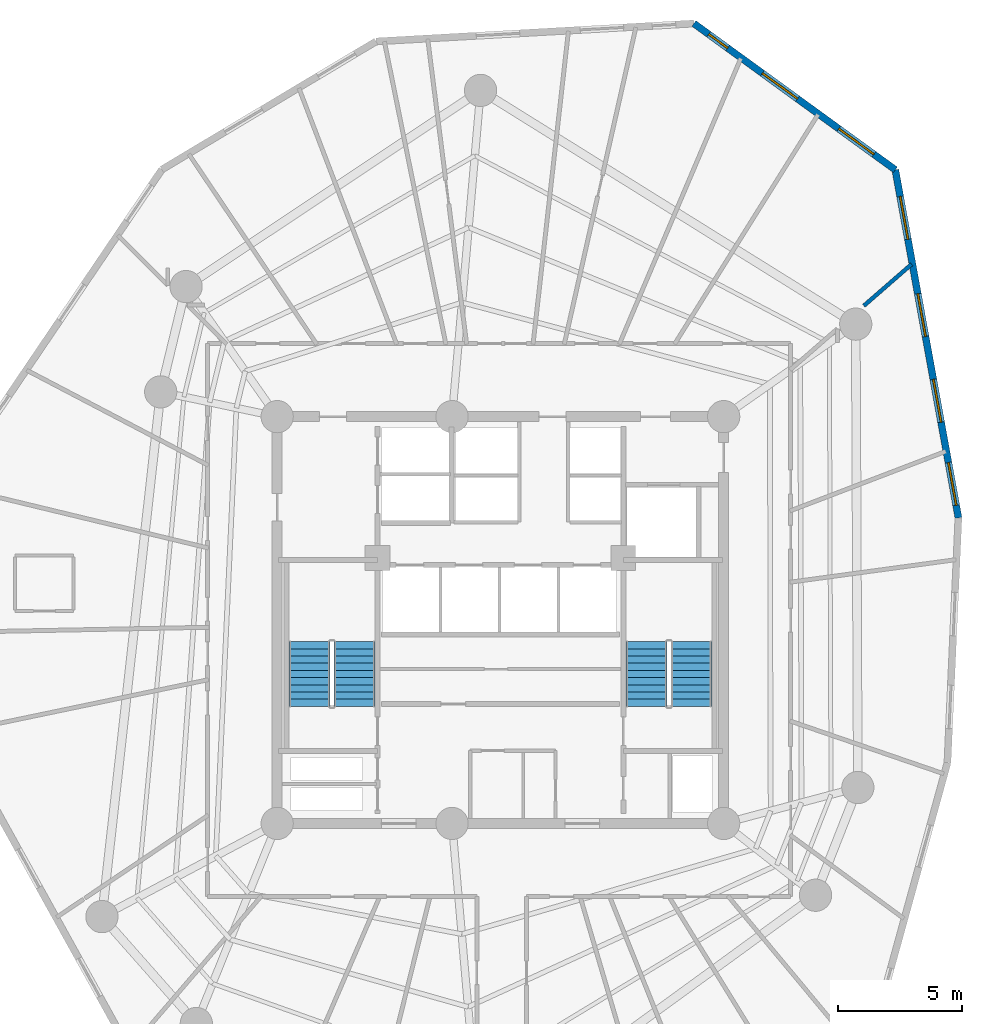
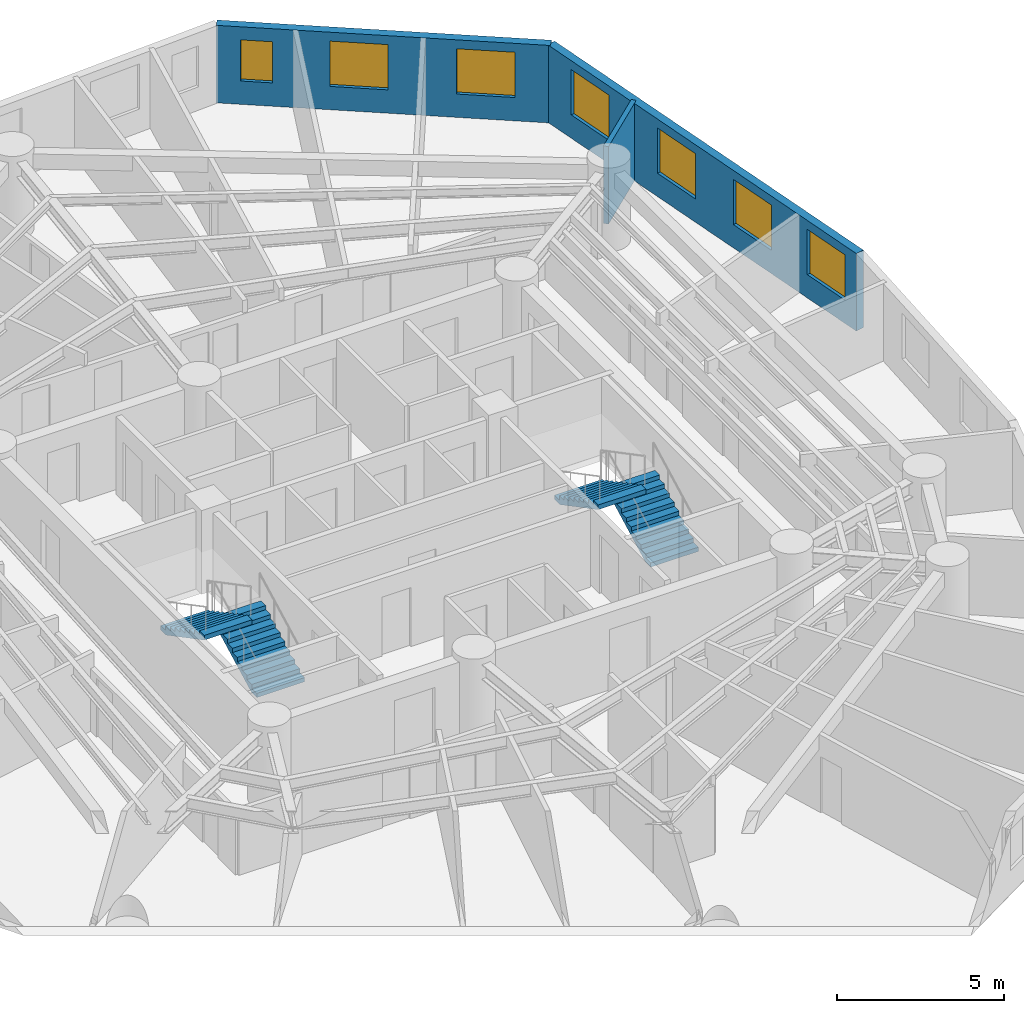
# One storey, part 7 of 8: 7 windows, 4 stair flights, 3 walls, 7 openings, 2 elements without a shape of their own.
"""IFC4 building model written with IfcOpenShell, lengths in metres."""

from ifc_helpers import new_model, si_unit, direction, frame, frame_2d, origin, origin_with_axes, place, context, subcontext, project, spatial, polyline, rectangle, outline, extrude, source, transform, mapped, material, layer, layer_set, type_object, element, fill, aggregate, save


model = new_model("IFC4")

# Units and contexts
model_context = context("Model", 3, precision=1e-05, world=origin(), true_north=direction((0.0, 1.0)))
body_context = subcontext(model_context, "Body", "Model", "MODEL_VIEW")
ifc_project = project(units=[si_unit("LENGTHUNIT", "METRE"), si_unit("AREAUNIT", "SQUARE_METRE"), si_unit("VOLUMEUNIT", "CUBIC_METRE"), si_unit("PLANEANGLEUNIT", "RADIAN"), si_unit("MASSUNIT", "GRAM", prefix="KILO")], contexts=[model_context])

# Site, building, storey
site_placement = place(None, origin())
site = spatial("IfcSite", under=ifc_project, at=site_placement, CompositionType="ELEMENT")
building_placement = place(site_placement, origin())
building = spatial("IfcBuilding", under=site, at=building_placement, Name="Karkom Vertical University and Central Library", CompositionType="ELEMENT")
storey_placement = place(building_placement, frame((0.0, 0.0, 180.949951171875)))
storey = spatial("IfcBuildingStorey", under=building, at=storey_placement, Name="L52", CompositionType="ELEMENT", Elevation=180.949951171875)

# Wall, openings, windows
ifc_material_1 = material(Name="Brick-faced precast concrete C45/55", Category="masonry")
ifc_layer_1 = layer(ifc_material_1, 0.280029296875)
ifc_layer_set_1 = layer_set([ifc_layer_1], Name="Brick-faced precast concrete C45/55")
wall_type_1 = type_object("IfcWallType", Name="ENV-WL-BRK-280", PredefinedType="SOLIDWALL", material=ifc_layer_set_1)
wall_1_placement = place(storey_placement, frame((46.9658203125, 30.617919921875, 0.0), z_axis=(0.0, 0.0, 1.0), x_axis=(-0.178507284688, 0.983938590214, 0.0)))
wall_1 = element("IfcWall", 1, at=wall_1_placement, inside=storey, type_object=wall_type_1, Name="Level 52 Brick-Faced Precast Facade Wall 08", PredefinedType="SOLIDWALL", context=body_context, shape_type="SweptSolid", body=[
    extrude(rectangle(XDim=14.2607421875, YDim=0.280029296875, at=frame_2d((7.13037109375, 0.0))), origin(), (0.0, 0.0, 1.0), 2.824951171875),
])
opening_1_placement = place(wall_1_placement, frame((0.5166015625, 0.0, 0.85009765625)))
opening_1 = element("IfcOpeningElement", 2, at=opening_1_placement, cuts=wall_1, Name="Opening WN-08", PredefinedType="OPENING", context=body_context, shape_type="SweptSolid", body=[
    extrude(rectangle(XDim=1.75, YDim=1.64990234375, at=frame_2d((0.875, 0.824951171875))), frame((0.0, 0.14990234375, 0.0), z_axis=(0.0, -1.0, 0.0), x_axis=(1.0, 0.0, 0.0)), (0.0, 0.0, 1.0), 0.300048828125),
])
opening_2_placement = place(wall_1_placement, frame((3.923095703125, 0.0, 0.85009765625)))
opening_2 = element("IfcOpeningElement", 3, at=opening_2_placement, cuts=wall_1, Name="Opening WN-08", PredefinedType="OPENING", context=body_context, shape_type="SweptSolid", body=[
    extrude(rectangle(XDim=1.75, YDim=1.64990234375, at=frame_2d((0.875, 0.824951171875))), frame((0.0, 0.14990234375, 0.0), z_axis=(0.0, -1.0, 0.0), x_axis=(1.0, 0.0, 0.0)), (0.0, 0.0, 1.0), 0.300048828125),
])
opening_3_placement = place(wall_1_placement, frame((7.43212890625, 0.0, 0.85009765625)))
opening_3 = element("IfcOpeningElement", 4, at=opening_3_placement, cuts=wall_1, Name="Opening WN-08", PredefinedType="OPENING", context=body_context, shape_type="SweptSolid", body=[
    extrude(rectangle(XDim=1.75, YDim=1.64990234375, at=frame_2d((0.875, 0.824951171875))), frame((0.0, 0.14990234375, 0.0), z_axis=(0.0, -1.0, 0.0), x_axis=(1.0, 0.0, 0.0)), (0.0, 0.0, 1.0), 0.300048828125),
])
opening_4_placement = place(wall_1_placement, frame((11.416259765625, 0.0, 0.85009765625)))
opening_4 = element("IfcOpeningElement", 5, at=opening_4_placement, cuts=wall_1, Name="Opening WN-08", PredefinedType="OPENING", context=body_context, shape_type="SweptSolid", body=[
    extrude(rectangle(XDim=1.75, YDim=1.64990234375, at=frame_2d((0.875, 0.824951171875))), frame((0.0, 0.14990234375, 0.0), z_axis=(0.0, -1.0, 0.0), x_axis=(1.0, 0.0, 0.0)), (0.0, 0.0, 1.0), 0.300048828125),
])
ifc_material_2 = material(Name="Aluminium thermal-break frame with solar-control IGU", Category="aluminium")
window_type_1 = type_object("IfcWindowType", Name="ENV-WIN-WN-08", PartitioningType="SINGLE_PANEL", PredefinedType="WINDOW", material=ifc_material_2)
shared_shape_1 = source(origin_with_axes(), body_context, "Body", "SweptSolid", [
    extrude(rectangle(XDim=1.75, YDim=1.64990234375, at=frame_2d((0.875, 0.824951171875))), frame((0.0, 0.030029296875, 0.0), z_axis=(0.0, -1.0, 0.0), x_axis=(1.0, 0.0, 0.0)), (0.0, 0.0, 1.0), 0.06005859375),
])
window_1_placement = place(opening_1_placement, origin())
window_1 = element("IfcWindow", 6, at=window_1_placement, inside=storey, type_object=window_type_1, Name="Level 52 Punched Window 8.1", OverallHeight=1.64990234375, OverallWidth=1.75, PartitioningType="SINGLE_PANEL", PredefinedType="WINDOW", context=body_context, shape_type="MappedRepresentation", body=[
    mapped(shared_shape_1, transform((0.0, 0.0, 0.0), scale=1.0)),
])
fill(opening_1, window_1)
window_2_placement = place(opening_2_placement, origin())
window_2 = element("IfcWindow", 7, at=window_2_placement, inside=storey, type_object=window_type_1, Name="Level 52 Punched Window 8.2", OverallHeight=1.64990234375, OverallWidth=1.75, PartitioningType="SINGLE_PANEL", PredefinedType="WINDOW", context=body_context, shape_type="MappedRepresentation", body=[
    mapped(shared_shape_1, transform((0.0, 0.0, 0.0), scale=1.0)),
])
fill(opening_2, window_2)
window_3_placement = place(opening_3_placement, origin())
window_3 = element("IfcWindow", 8, at=window_3_placement, inside=storey, type_object=window_type_1, Name="Level 52 Punched Window 8.3", OverallHeight=1.64990234375, OverallWidth=1.75, PartitioningType="SINGLE_PANEL", PredefinedType="WINDOW", context=body_context, shape_type="MappedRepresentation", body=[
    mapped(shared_shape_1, transform((0.0, 0.0, 0.0), scale=1.0)),
])
fill(opening_3, window_3)
window_4_placement = place(opening_4_placement, origin())
window_4 = element("IfcWindow", 9, at=window_4_placement, inside=storey, type_object=window_type_1, Name="Level 52 Punched Window 8.4", OverallHeight=1.64990234375, OverallWidth=1.75, PartitioningType="SINGLE_PANEL", PredefinedType="WINDOW", context=body_context, shape_type="MappedRepresentation", body=[
    mapped(shared_shape_1, transform((0.0, 0.0, 0.0), scale=1.0)),
])
fill(opening_4, window_4)

wall_2_placement = place(storey_placement, frame((44.420166015625, 44.649658203125, 0.0), z_axis=(0.0, 0.0, 1.0), x_axis=(-0.808983194654, 0.587831770805, 0.0)))
wall_2 = element("IfcWall", 10, at=wall_2_placement, inside=storey, type_object=wall_type_1, Name="Level 52 Brick-Faced Precast Facade Wall 09", PredefinedType="SOLIDWALL", context=body_context, shape_type="SweptSolid", body=[
    extrude(rectangle(XDim=10.037109375, YDim=0.280029296875, at=frame_2d((5.0185546875, 0.0))), origin(), (0.0, 0.0, 1.0), 2.824951171875),
])
opening_5_placement = place(wall_2_placement, frame((1.069091796875, 0.0, 0.85009765625)))
opening_5 = element("IfcOpeningElement", 11, at=opening_5_placement, cuts=wall_2, Name="Opening WN-08", PredefinedType="OPENING", context=body_context, shape_type="SweptSolid", body=[
    extrude(rectangle(XDim=1.75, YDim=1.64990234375, at=frame_2d((0.875, 0.824951171875))), frame((0.0, 0.14990234375, 0.0), z_axis=(0.0, -1.0, 0.0), x_axis=(1.0, 0.0, 0.0)), (0.0, 0.0, 1.0), 0.300048828125),
])
opening_6_placement = place(wall_2_placement, frame((4.87548828125, 0.0, 0.85009765625)))
opening_6 = element("IfcOpeningElement", 12, at=opening_6_placement, cuts=wall_2, Name="Opening WN-08", PredefinedType="OPENING", context=body_context, shape_type="SweptSolid", body=[
    extrude(rectangle(XDim=1.75, YDim=1.64990234375, at=frame_2d((0.875, 0.824951171875))), frame((0.0, 0.14990234375, 0.0), z_axis=(0.0, -1.0, 0.0), x_axis=(1.0, 0.0, 0.0)), (0.0, 0.0, 1.0), 0.300048828125),
])
opening_7_placement = place(wall_2_placement, frame((8.35009765625, 0.0, 0.85009765625)))
opening_7 = element("IfcOpeningElement", 13, at=opening_7_placement, cuts=wall_2, Name="Opening WN-12", PredefinedType="OPENING", context=body_context, shape_type="SweptSolid", body=[
    extrude(rectangle(XDim=0.949951171875, YDim=1.5, at=frame_2d((0.47509765625, 0.75))), frame((0.0, 0.14990234375, 0.0), z_axis=(0.0, -1.0, 0.0), x_axis=(1.0, 0.0, 0.0)), (0.0, 0.0, 1.0), 0.300048828125),
])
window_type_2 = type_object("IfcWindowType", Name="ENV-WIN-WN-12", PartitioningType="SINGLE_PANEL", PredefinedType="WINDOW", material=ifc_material_2)
shared_shape_2 = source(origin_with_axes(), body_context, "Body", "SweptSolid", [
    extrude(rectangle(XDim=0.949951171875, YDim=1.5, at=frame_2d((0.47509765625, 0.75))), frame((0.0, 0.030029296875, 0.0), z_axis=(0.0, -1.0, 0.0), x_axis=(1.0, 0.0, 0.0)), (0.0, 0.0, 1.0), 0.06005859375),
])
window_5_placement = place(opening_7_placement, origin())
window_5 = element("IfcWindow", 14, at=window_5_placement, inside=storey, type_object=window_type_2, Name="Level 52 Punched Window 9.3", OverallHeight=1.5, OverallWidth=0.949951171875, PartitioningType="SINGLE_PANEL", PredefinedType="WINDOW", context=body_context, shape_type="MappedRepresentation", body=[
    mapped(shared_shape_2, transform((0.0, 0.0, 0.0), scale=1.0)),
])
fill(opening_7, window_5)
window_6_placement = place(opening_5_placement, origin())
window_6 = element("IfcWindow", 15, at=window_6_placement, inside=storey, type_object=window_type_1, Name="Level 52 Punched Window 9.1", OverallHeight=1.64990234375, OverallWidth=1.75, PartitioningType="SINGLE_PANEL", PredefinedType="WINDOW", context=body_context, shape_type="MappedRepresentation", body=[
    mapped(shared_shape_1, transform((0.0, 0.0, 0.0), scale=1.0)),
])
fill(opening_5, window_6)
window_7_placement = place(opening_6_placement, origin())
window_7 = element("IfcWindow", 16, at=window_7_placement, inside=storey, type_object=window_type_1, Name="Level 52 Punched Window 9.2", OverallHeight=1.64990234375, OverallWidth=1.75, PartitioningType="SINGLE_PANEL", PredefinedType="WINDOW", context=body_context, shape_type="MappedRepresentation", body=[
    mapped(shared_shape_1, transform((0.0, 0.0, 0.0), scale=1.0)),
])
fill(opening_6, window_7)

# Wall
ifc_material_3 = material(Name="Insulated metal-stud drywall 160mm", Category="gypsum")
ifc_layer_2 = layer(ifc_material_3, 0.159912109375)
ifc_layer_set_2 = layer_set([ifc_layer_2], Name="Insulated metal-stud drywall 160mm")
wall_type_2 = type_object("IfcWallType", Name="INT-WL-COR-160", PredefinedType="PARTITIONING", material=ifc_layer_set_2)
wall_3_placement = place(storey_placement, frame((43.149169921875, 39.16796875, 0.0), z_axis=(0.0, 0.0, 1.0), x_axis=(0.754356442097, 0.656465047254, 0.0)))
element("IfcWall", 17, at=wall_3_placement, inside=storey, type_object=wall_type_2, Name="Level 52 Interior Partition Wall L52-PW-022", PredefinedType="PARTITIONING", context=body_context, shape_type="SweptSolid", body=[
    extrude(rectangle(XDim=2.553955078125, YDim=0.159912109375, at=frame_2d((1.27685546875, 0.0))), origin(), (0.0, 0.0, 1.0), 2.824951171875),
])

# Stair, stair flights
ifc_material_4 = material(Name="Concrete C45/55", Category="concrete")
stair_type = type_object("IfcStairType", Name="INT-STR-ST-MAIN", PredefinedType="HALF_TURN_STAIR", material=ifc_material_4)
stair_1_placement = place(storey_placement, origin())
stair_1 = element("IfcStair", 18, at=stair_1_placement, inside=storey, type_object=stair_type, Name="Level 52 Tower Protected Exit Stair ST-1", PredefinedType="HALF_TURN_STAIR")
stair_flight_type = type_object("IfcStairFlightType", Name="INT-SFL-ST-MAIN", PredefinedType="STRAIGHT", material=ifc_material_4)
stair_flight_1_placement = place(storey_placement, frame((22.614990234375, 23.02001953125, 0.0), z_axis=(0.0, 0.0, 1.0), x_axis=(0.0, 1.0, 0.0)))
stair_flight_1 = element("IfcStairFlight", 19, at=stair_flight_1_placement, type_object=stair_flight_type, Name="ST-1 flight 1", NumberOfRisers=10, NumberOfTreads=9, PredefinedType="STRAIGHT", RiserHeight=0.1525, TreadLength=0.29, context=body_context, shape_type="SweptSolid", body=[
    extrude(outline(polyline([(0.0, 0.0), (0.0, 0.152587890625), (0.2900390625, 0.152587890625), (0.2900390625, 0.304931640625), (0.580078125, 0.304931640625), (0.580078125, 0.45751953125), (0.8701171875, 0.45751953125), (0.8701171875, 0.610107421875), (1.159912109375, 0.610107421875), (1.159912109375, 0.762451171875), (1.449951171875, 0.762451171875), (1.449951171875, 0.9150390625), (1.739990234375, 0.9150390625), (1.739990234375, 1.0673828125), (2.030029296875, 1.0673828125), (2.030029296875, 1.219970703125), (2.320068359375, 1.219970703125), (2.320068359375, 1.37255859375), (2.610107421875, 1.37255859375), (2.610107421875, 1.52490234375), (2.610107421875, 1.203125), (0.322021484375, 0.0), (0.0, 0.0)])), frame((0.0, 0.824951171875, 0.0), z_axis=(0.0, -1.0, 0.0), x_axis=(1.0, 0.0, 0.0)), (0.0, 0.0, 1.0), 1.64990234375),
])
stair_flight_2_placement = place(storey_placement, frame((20.804931640625, 25.6298828125, 1.525146484375), z_axis=(0.0, 0.0, 1.0), x_axis=(0.0, -1.0, 0.0)))
stair_flight_2 = element("IfcStairFlight", 20, at=stair_flight_2_placement, type_object=stair_flight_type, Name="ST-1 flight 2", NumberOfRisers=10, NumberOfTreads=9, PredefinedType="STRAIGHT", RiserHeight=0.1525, TreadLength=0.29, context=body_context, shape_type="SweptSolid", body=[
    extrude(outline(polyline([(0.0, 0.0), (0.0, 0.152587890625), (0.2900390625, 0.152587890625), (0.2900390625, 0.304931640625), (0.580078125, 0.304931640625), (0.580078125, 0.45751953125), (0.8701171875, 0.45751953125), (0.8701171875, 0.610107421875), (1.159912109375, 0.610107421875), (1.159912109375, 0.762451171875), (1.449951171875, 0.762451171875), (1.449951171875, 0.9150390625), (1.739990234375, 0.9150390625), (1.739990234375, 1.0673828125), (2.030029296875, 1.0673828125), (2.030029296875, 1.219970703125), (2.320068359375, 1.219970703125), (2.320068359375, 1.37255859375), (2.610107421875, 1.37255859375), (2.610107421875, 1.52490234375), (2.610107421875, 1.203125), (0.322021484375, 0.0), (0.0, 0.0)])), frame((0.0, 0.824951171875, 0.0), z_axis=(0.0, -1.0, 0.0), x_axis=(1.0, 0.0, 0.0)), (0.0, 0.0, 1.0), 1.64990234375),
])
aggregate(stair_1, [stair_flight_1, stair_flight_2])

stair_2_placement = place(storey_placement, origin())
stair_2 = element("IfcStair", 21, at=stair_2_placement, inside=storey, type_object=stair_type, Name="Level 52 Tower Protected Exit Stair ST-2", PredefinedType="HALF_TURN_STAIR")
stair_flight_3_placement = place(storey_placement, frame((36.195068359375, 23.02001953125, 0.0), z_axis=(0.0, 0.0, 1.0), x_axis=(0.0, 1.0, 0.0)))
stair_flight_3 = element("IfcStairFlight", 22, at=stair_flight_3_placement, type_object=stair_flight_type, Name="ST-2 flight 1", NumberOfRisers=10, NumberOfTreads=9, PredefinedType="STRAIGHT", RiserHeight=0.1525, TreadLength=0.29, context=body_context, shape_type="SweptSolid", body=[
    extrude(outline(polyline([(0.0, 0.0), (0.0, 0.152587890625), (0.2900390625, 0.152587890625), (0.2900390625, 0.304931640625), (0.580078125, 0.304931640625), (0.580078125, 0.45751953125), (0.8701171875, 0.45751953125), (0.8701171875, 0.610107421875), (1.159912109375, 0.610107421875), (1.159912109375, 0.762451171875), (1.449951171875, 0.762451171875), (1.449951171875, 0.9150390625), (1.739990234375, 0.9150390625), (1.739990234375, 1.0673828125), (2.030029296875, 1.0673828125), (2.030029296875, 1.219970703125), (2.320068359375, 1.219970703125), (2.320068359375, 1.37255859375), (2.610107421875, 1.37255859375), (2.610107421875, 1.52490234375), (2.610107421875, 1.203125), (0.322021484375, 0.0), (0.0, 0.0)])), frame((0.0, 0.824951171875, 0.0), z_axis=(0.0, -1.0, 0.0), x_axis=(1.0, 0.0, 0.0)), (0.0, 0.0, 1.0), 1.64990234375),
])
stair_flight_4_placement = place(storey_placement, frame((34.385009765625, 25.6298828125, 1.525146484375), z_axis=(0.0, 0.0, 1.0), x_axis=(0.0, -1.0, 0.0)))
stair_flight_4 = element("IfcStairFlight", 23, at=stair_flight_4_placement, type_object=stair_flight_type, Name="ST-2 flight 2", NumberOfRisers=10, NumberOfTreads=9, PredefinedType="STRAIGHT", RiserHeight=0.1525, TreadLength=0.29, context=body_context, shape_type="SweptSolid", body=[
    extrude(outline(polyline([(0.0, 0.0), (0.0, 0.152587890625), (0.2900390625, 0.152587890625), (0.2900390625, 0.304931640625), (0.580078125, 0.304931640625), (0.580078125, 0.45751953125), (0.8701171875, 0.45751953125), (0.8701171875, 0.610107421875), (1.159912109375, 0.610107421875), (1.159912109375, 0.762451171875), (1.449951171875, 0.762451171875), (1.449951171875, 0.9150390625), (1.739990234375, 0.9150390625), (1.739990234375, 1.0673828125), (2.030029296875, 1.0673828125), (2.030029296875, 1.219970703125), (2.320068359375, 1.219970703125), (2.320068359375, 1.37255859375), (2.610107421875, 1.37255859375), (2.610107421875, 1.52490234375), (2.610107421875, 1.203125), (0.322021484375, 0.0), (0.0, 0.0)])), frame((0.0, 0.824951171875, 0.0), z_axis=(0.0, -1.0, 0.0), x_axis=(1.0, 0.0, 0.0)), (0.0, 0.0, 1.0), 1.64990234375),
])
aggregate(stair_2, [stair_flight_3, stair_flight_4])

save(model, "model.ifc")
